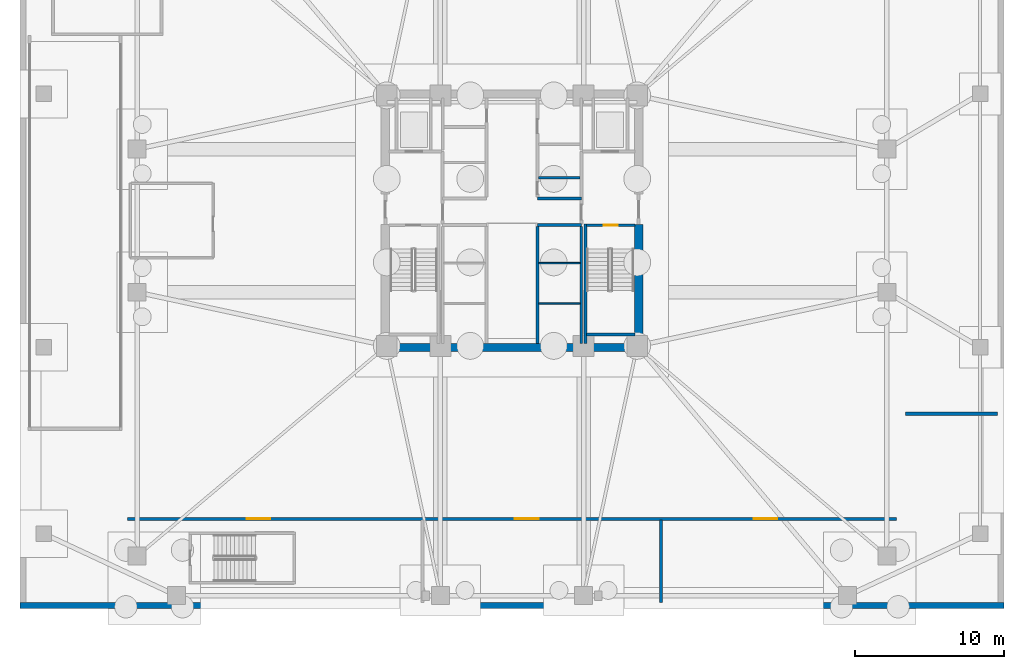
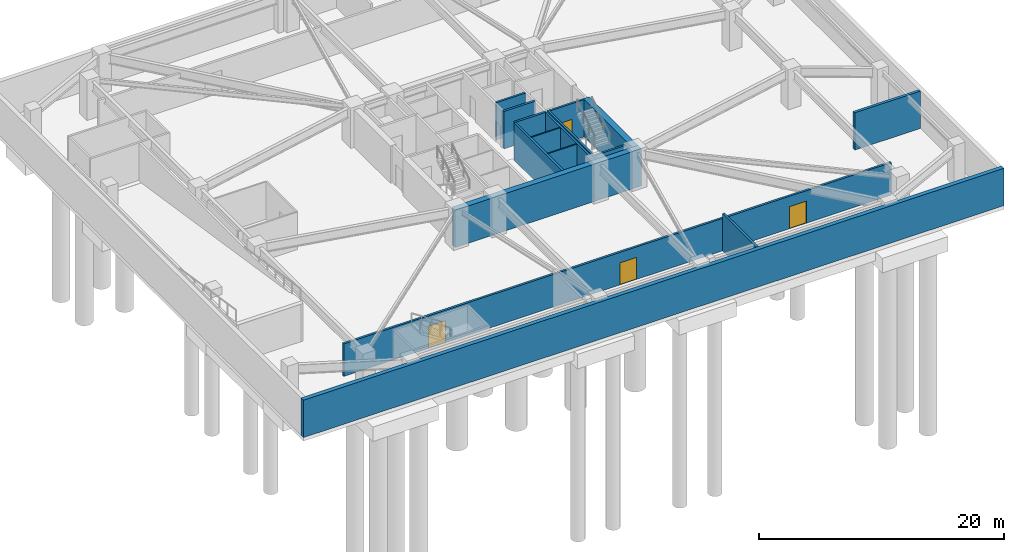
# One storey, part 4 of 10: 16 walls, 4 doors, 4 openings.
"""IFC4 building model written with IfcOpenShell, lengths in metres."""

from ifc_helpers import new_model, si_unit, direction, frame, frame_2d, origin, place, context, subcontext, project, spatial, rectangle, extrude, material, layer, layer_set, type_object, element, fill, save


model = new_model("IFC4")

# Units and contexts
model_context = context("Model", 3, precision=1e-05, world=origin(), true_north=direction((0.0, 1.0)))
body_context = subcontext(model_context, "Body", "Model", "MODEL_VIEW")
ifc_project = project(units=[si_unit("LENGTHUNIT", "METRE"), si_unit("AREAUNIT", "SQUARE_METRE"), si_unit("VOLUMEUNIT", "CUBIC_METRE"), si_unit("PLANEANGLEUNIT", "RADIAN"), si_unit("MASSUNIT", "GRAM", prefix="KILO")], contexts=[model_context])

# Site, building, storey
site_placement = place(None, origin())
site = spatial("IfcSite", under=ifc_project, at=site_placement, CompositionType="ELEMENT")
building_placement = place(site_placement, origin())
building = spatial("IfcBuilding", under=site, at=building_placement, Name="Cairnveth Concourse Tower", CompositionType="ELEMENT")
storey_placement = place(building_placement, frame((0.0, 0.0, -8.0)))
storey = spatial("IfcBuildingStorey", under=building, at=storey_placement, Name="B02", CompositionType="ELEMENT", Elevation=-8.0)

# Walls
ifc_material_1 = material(Name="Concrete N50 (50 MPa)", Category="concrete")
ifc_layer_1 = layer(ifc_material_1, 0.39990234375)
ifc_layer_set_1 = layer_set([ifc_layer_1], Name="Concrete N50 (50 MPa)")
wall_type_1 = type_object("IfcWallType", Name="BASEMENT RETAINING WALL 400", PredefinedType="USERDEFINED", material=ifc_layer_set_1)
wall_1_placement = place(storey_placement, frame((85.0, 13.199951171875, 0.0), z_axis=(0.0, 0.0, 1.0), x_axis=(-1.0, 0.0, 0.0)))
element("IfcWall", 1, at=wall_1_placement, inside=storey, type_object=wall_type_1, Name="Exterior Wall EW-B02-S", ObjectType="RETAINING WALL", PredefinedType="USERDEFINED", context=body_context, shape_type="SweptSolid", body=[
    extrude(rectangle(XDim=66.0, YDim=0.39990234375, at=frame_2d((33.0, 0.0))), origin(), (0.0, 0.0, 1.0), 3.719970703125),
])
ifc_material_2 = material(Name="Concrete N80 (80 MPa)", Category="concrete")
ifc_layer_2 = layer(ifc_material_2, 0.550048828125)
ifc_layer_set_2 = layer_set([ifc_layer_2], Name="Concrete N80 (80 MPa)")
wall_type_2 = type_object("IfcWallType", Name="CORE SHEAR WALL 550", PredefinedType="SHEAR", material=ifc_layer_set_2)
wall_2_placement = place(storey_placement, frame((43.22509765625, 30.5, 0.0), z_axis=(0.0, 0.0, 1.0), x_axis=(1.0, 0.0, 0.0)))
element("IfcWall", 2, at=wall_2_placement, inside=storey, type_object=wall_type_2, Name="Core South Shear Wall B02", PredefinedType="SHEAR", context=body_context, shape_type="SweptSolid", body=[
    extrude(rectangle(XDim=17.5498046875, YDim=0.550048828125, at=frame_2d((8.77490234375, 0.0))), origin(), (0.0, 0.0, 1.0), 3.719970703125),
])
wall_3_placement = place(storey_placement, frame((60.5, 30.764892578125, 0.0), z_axis=(0.0, 0.0, 1.0), x_axis=(0.0, 1.0, 0.0)))
element("IfcWall", 3, at=wall_3_placement, inside=storey, type_object=wall_type_2, Name="Core East Shear Wall S B02", PredefinedType="SHEAR", context=body_context, shape_type="SweptSolid", body=[
    extrude(rectangle(XDim=7.985107421875, YDim=0.550048828125, at=frame_2d((3.99267578125, 0.0))), origin(), (0.0, 0.0, 1.0), 3.719970703125),
])
ifc_layer_3 = layer(ifc_material_1, 0.179931640625)
ifc_layer_set_3 = layer_set([ifc_layer_3], Name="Concrete N50 (50 MPa)")
wall_type_3 = type_object("IfcWallType", Name="FIRE SHAFT WALL 180", PredefinedType="SOLIDWALL", material=ifc_layer_set_3)
wall_4_placement = place(storey_placement, frame((56.64990234375, 30.760009765625, 0.0), z_axis=(0.0, 0.0, 1.0), x_axis=(0.0, 1.0, 0.0)))
element("IfcWall", 4, at=wall_4_placement, inside=storey, type_object=wall_type_3, Name="Interior Wall IW-B02-028", PredefinedType="SOLIDWALL", context=body_context, shape_type="SweptSolid", body=[
    extrude(rectangle(XDim=7.85498046875, YDim=0.179931640625, at=frame_2d((3.927490234375, 0.0))), origin(), (0.0, 0.0, 1.0), 3.719970703125),
])
wall_5_placement = place(storey_placement, frame((53.784912109375, 41.8798828125, 0.0), z_axis=(0.0, 0.0, 1.0), x_axis=(1.0, 0.0, 0.0)))
element("IfcWall", 5, at=wall_5_placement, inside=storey, type_object=wall_type_3, Name="Interior Wall IW-B02-035", PredefinedType="SOLIDWALL", context=body_context, shape_type="SweptSolid", body=[
    extrude(rectangle(XDim=2.780029296875, YDim=0.179931640625, at=frame_2d((1.39013671875, 0.0))), origin(), (0.0, 0.0, 1.0), 3.719970703125),
])

# Wall, opening, door
wall_6_placement = place(storey_placement, frame((57.0048828125, 38.68994140625, 0.0), z_axis=(0.0, 0.0, 1.0), x_axis=(1.0, 0.0, 0.0)))
wall_6 = element("IfcWall", 6, at=wall_6_placement, inside=storey, type_object=wall_type_3, Name="Stair ST-2 Shaft Wall NEAR B02", PredefinedType="SOLIDWALL", context=body_context, shape_type="SweptSolid", body=[
    extrude(rectangle(XDim=3.230224609375, YDim=0.179931640625, at=frame_2d((1.615234375, 0.0))), origin(), (0.0, 0.0, 1.0), 3.719970703125),
])
opening_1_placement = place(wall_6_placement, frame((1.139892578125, 0.0, 0.0)))
opening_1 = element("IfcOpeningElement", 7, at=opening_1_placement, cuts=wall_6, Name="Opening ID12", PredefinedType="OPENING", context=body_context, shape_type="SweptSolid", body=[
    extrude(rectangle(XDim=0.949951171875, YDim=2.14990234375, at=frame_2d((0.47509765625, 1.074951171875))), frame((0.0, 0.099853515625, 0.0), z_axis=(0.0, -1.0, 0.0), x_axis=(1.0, 0.0, 0.0)), (0.0, 0.0, 1.0), 0.199951171875),
])
ifc_material_3 = material(Name="Steel Grade 350", Category="steel")
door_type_1 = type_object("IfcDoorType", Name="FIRE STAIR DOOR 950X2150", OperationType="NOTDEFINED", PredefinedType="DOOR", material=ifc_material_3)
door_1_placement = place(opening_1_placement, origin())
door_1 = element("IfcDoor", 8, at=door_1_placement, inside=storey, type_object=door_type_1, Name="Stair ST-2 Fire Door B02", OperationType="SINGLE_SWING_RIGHT", OverallHeight=2.14990234375, OverallWidth=0.949951171875, PredefinedType="DOOR", context=body_context, shape_type="SweptSolid", body=[
    extrude(rectangle(XDim=0.949951171875, YDim=2.14990234375, at=frame_2d((0.47509765625, 1.074951171875))), frame((0.0, 0.02490234375, 0.0), z_axis=(0.0, -1.0, 0.0), x_axis=(1.0, 0.0, 0.0)), (0.0, 0.0, 1.0), 0.050048828125),
])
fill(opening_1, door_1)

# Walls
wall_7_placement = place(storey_placement, frame((57.0048828125, 31.360107421875, 0.0), z_axis=(0.0, 0.0, 1.0), x_axis=(1.0, 0.0, 0.0)))
element("IfcWall", 9, at=wall_7_placement, inside=storey, type_object=wall_type_3, Name="Stair ST-2 Shaft Wall FAR B02", PredefinedType="SOLIDWALL", context=body_context, shape_type="SweptSolid", body=[
    extrude(rectangle(XDim=3.230224609375, YDim=0.179931640625, at=frame_2d((1.615234375, 0.0))), origin(), (0.0, 0.0, 1.0), 3.719970703125),
])
wall_8_placement = place(storey_placement, frame((56.929931640625, 38.780029296875, 0.0), z_axis=(0.0, 0.0, 1.0), x_axis=(0.0, -1.0, 0.0)))
element("IfcWall", 10, at=wall_8_placement, inside=storey, type_object=wall_type_3, Name="Stair ST-2 Shaft Wall LEFT B02", PredefinedType="SOLIDWALL", context=body_context, shape_type="SweptSolid", body=[
    extrude(rectangle(XDim=8.01708984375, YDim=0.179931640625, at=frame_2d((4.008544921875, 0.0))), origin(), (0.0, 0.0, 1.0), 3.719970703125),
])
ifc_layer_4 = layer(ifc_material_1, 0.199951171875)
ifc_layer_set_4 = layer_set([ifc_layer_4], Name="Concrete N50 (50 MPa)")
wall_type_4 = type_object("IfcWallType", Name="FIRE SHAFT WALL 200", PredefinedType="SOLIDWALL", material=ifc_layer_set_4)
for number, where, z_axis, x_axis, name in (
    (11, (53.699951171875, 38.699951171875, 0.0), (0.0, 0.0, 1.0), (1.0, 0.0, 0.0), "Interior Wall IW-B02-009"),
    (12, (53.699951171875, 40.5, 0.0), (0.0, 0.0, 1.0), (1.0, 0.0, 0.0), "Interior Wall IW-B02-010"),
):
    element("IfcWall", number, at=place(storey_placement, frame(where, z_axis=z_axis, x_axis=x_axis)), inside=storey, type_object=wall_type_4, Name=name, PredefinedType="SOLIDWALL", context=body_context, shape_type="SweptSolid", body=[
        extrude(rectangle(XDim=2.949951171875, YDim=0.199951171875, at=frame_2d((1.47509765625, 0.0))), origin(), (0.0, 0.0, 1.0), 3.719970703125),
    ])
wall_9_placement = place(storey_placement, frame((53.699951171875, 30.760009765625, 0.0), z_axis=(0.0, 0.0, 1.0), x_axis=(0.0, 1.0, 0.0)))
element("IfcWall", 13, at=wall_9_placement, inside=storey, type_object=wall_type_4, Name="Interior Wall IW-B02-012", PredefinedType="SOLIDWALL", context=body_context, shape_type="SweptSolid", body=[
    extrude(rectangle(XDim=7.85498046875, YDim=0.199951171875, at=frame_2d((3.927490234375, 0.0))), origin(), (0.0, 0.0, 1.0), 3.719970703125),
])

# Wall, openings, doors
wall_10_placement = place(storey_placement, frame((26.199951171875, 19.0, 0.0), z_axis=(0.0, 0.0, 1.0), x_axis=(1.0, 0.0, 0.0)))
wall_10 = element("IfcWall", 14, at=wall_10_placement, inside=storey, type_object=wall_type_4, Name="Interior Wall IW-B02-037", PredefinedType="SOLIDWALL", context=body_context, shape_type="SweptSolid", body=[
    extrude(rectangle(XDim=51.60009765625, YDim=0.199951171875, at=frame_2d((25.800048828125, 0.0))), origin(), (0.0, 0.0, 1.0), 3.238037109375),
])
opening_2_placement = place(wall_10_placement, frame((8.0, 0.0, 0.0)))
opening_2 = element("IfcOpeningElement", 15, at=opening_2_placement, cuts=wall_10, Name="Opening ID02", PredefinedType="OPENING", context=body_context, shape_type="SweptSolid", body=[
    extrude(rectangle(XDim=1.60009765625, YDim=2.199951171875, at=frame_2d((0.800048828125, 1.10009765625))), frame((0.0, 0.10986328125, 0.0), z_axis=(0.0, -1.0, 0.0), x_axis=(1.0, 0.0, 0.0)), (0.0, 0.0, 1.0), 0.219970703125),
])
opening_3_placement = place(wall_10_placement, frame((26.0, 0.0, 0.0)))
opening_3 = element("IfcOpeningElement", 16, at=opening_3_placement, cuts=wall_10, Name="Opening ID02", PredefinedType="OPENING", context=body_context, shape_type="SweptSolid", body=[
    extrude(rectangle(XDim=1.60009765625, YDim=2.199951171875, at=frame_2d((0.800048828125, 1.10009765625))), frame((0.0, 0.10986328125, 0.0), z_axis=(0.0, -1.0, 0.0), x_axis=(1.0, 0.0, 0.0)), (0.0, 0.0, 1.0), 0.219970703125),
])
opening_4_placement = place(wall_10_placement, frame((42.0, 0.0, 0.0)))
opening_4 = element("IfcOpeningElement", 17, at=opening_4_placement, cuts=wall_10, Name="Opening ID02", PredefinedType="OPENING", context=body_context, shape_type="SweptSolid", body=[
    extrude(rectangle(XDim=1.60009765625, YDim=2.199951171875, at=frame_2d((0.800048828125, 1.10009765625))), frame((0.0, 0.10986328125, 0.0), z_axis=(0.0, -1.0, 0.0), x_axis=(1.0, 0.0, 0.0)), (0.0, 0.0, 1.0), 0.219970703125),
])
door_type_2 = type_object("IfcDoorType", Name="PLANT DOUBLE DOOR 1600X2200", OperationType="DOUBLE_DOOR_SINGLE_SWING", PredefinedType="DOOR", material=ifc_material_3)
door_2_placement = place(opening_2_placement, origin())
door_2 = element("IfcDoor", 18, at=door_2_placement, inside=storey, type_object=door_type_2, Name="Interior Door DR-B02-010", OperationType="DOUBLE_DOOR_SINGLE_SWING", OverallHeight=2.199951171875, OverallWidth=1.60009765625, PredefinedType="DOOR", context=body_context, shape_type="SweptSolid", body=[
    extrude(rectangle(XDim=1.60009765625, YDim=2.199951171875, at=frame_2d((0.800048828125, 1.10009765625))), frame((0.0, 0.02490234375, 0.0), z_axis=(0.0, -1.0, 0.0), x_axis=(1.0, 0.0, 0.0)), (0.0, 0.0, 1.0), 0.050048828125),
])
fill(opening_2, door_2)
door_3_placement = place(opening_3_placement, origin())
door_3 = element("IfcDoor", 19, at=door_3_placement, inside=storey, type_object=door_type_2, Name="Interior Door DR-B02-011", OperationType="DOUBLE_DOOR_SINGLE_SWING", OverallHeight=2.199951171875, OverallWidth=1.60009765625, PredefinedType="DOOR", context=body_context, shape_type="SweptSolid", body=[
    extrude(rectangle(XDim=1.60009765625, YDim=2.199951171875, at=frame_2d((0.800048828125, 1.10009765625))), frame((0.0, 0.02490234375, 0.0), z_axis=(0.0, -1.0, 0.0), x_axis=(1.0, 0.0, 0.0)), (0.0, 0.0, 1.0), 0.050048828125),
])
fill(opening_3, door_3)
door_4_placement = place(opening_4_placement, origin())
door_4 = element("IfcDoor", 20, at=door_4_placement, inside=storey, type_object=door_type_2, Name="Interior Door DR-B02-012", OperationType="DOUBLE_DOOR_SINGLE_SWING", OverallHeight=2.199951171875, OverallWidth=1.60009765625, PredefinedType="DOOR", context=body_context, shape_type="SweptSolid", body=[
    extrude(rectangle(XDim=1.60009765625, YDim=2.199951171875, at=frame_2d((0.800048828125, 1.10009765625))), frame((0.0, 0.02490234375, 0.0), z_axis=(0.0, -1.0, 0.0), x_axis=(1.0, 0.0, 0.0)), (0.0, 0.0, 1.0), 0.050048828125),
])
fill(opening_4, door_4)

# Walls
wall_11_placement = place(storey_placement, frame((62.0, 13.39990234375, 0.0), z_axis=(0.0, 0.0, 1.0), x_axis=(0.0, 1.0, 0.0)))
element("IfcWall", 21, at=wall_11_placement, inside=storey, type_object=wall_type_4, Name="Interior Wall IW-B02-040", PredefinedType="SOLIDWALL", context=body_context, shape_type="SweptSolid", body=[
    extrude(rectangle(XDim=5.51513671875, YDim=0.199951171875, at=frame_2d((2.757568359375, 0.0))), origin(), (0.0, 0.0, 1.0), 3.719970703125),
])
wall_12_placement = place(storey_placement, frame((78.39990234375, 26.050048828125, 0.0), z_axis=(0.0, 0.0, 1.0), x_axis=(1.0, 0.0, 0.0)))
element("IfcWall", 22, at=wall_12_placement, inside=storey, type_object=wall_type_4, Name="Ramp B01-L00 Foot Support Wall", PredefinedType="SOLIDWALL", context=body_context, shape_type="SweptSolid", body=[
    extrude(rectangle(XDim=6.18017578125, YDim=0.25, at=frame_2d((3.090087890625, 0.0))), origin(), (0.0, 0.0, 1.0), 3.719970703125),
])
ifc_material_4 = material(Name="Gypsum Plasterboard Partition", Category="gypsum")
ifc_layer_5 = layer(ifc_material_4, 0.110107421875)
ifc_layer_set_5 = layer_set([ifc_layer_5], Name="Gypsum Plasterboard Partition")
wall_type_5 = type_object("IfcWallType", Name="SHAFT DIVIDER WALL 140", PredefinedType="PARTITIONING", material=ifc_layer_set_5)
for number, where, z_axis, x_axis, name in (
    (23, (53.784912109375, 33.449951171875, 0.0), (0.0, 0.0, 1.0), (1.0, 0.0, 0.0), "Interior Wall IW-B02-029"),
    (24, (53.784912109375, 36.14990234375, 0.0), (0.0, 0.0, 1.0), (1.0, 0.0, 0.0), "Interior Wall IW-B02-030"),
):
    element("IfcWall", number, at=place(storey_placement, frame(where, z_axis=z_axis, x_axis=x_axis)), inside=storey, type_object=wall_type_5, Name=name, PredefinedType="PARTITIONING", context=body_context, shape_type="SweptSolid", body=[
        extrude(rectangle(XDim=2.7900390625, YDim=0.110107421875, at=frame_2d((1.39501953125, 0.0))), origin(), (0.0, 0.0, 1.0), 3.719970703125),
    ])

save(model, "model.ifc")
